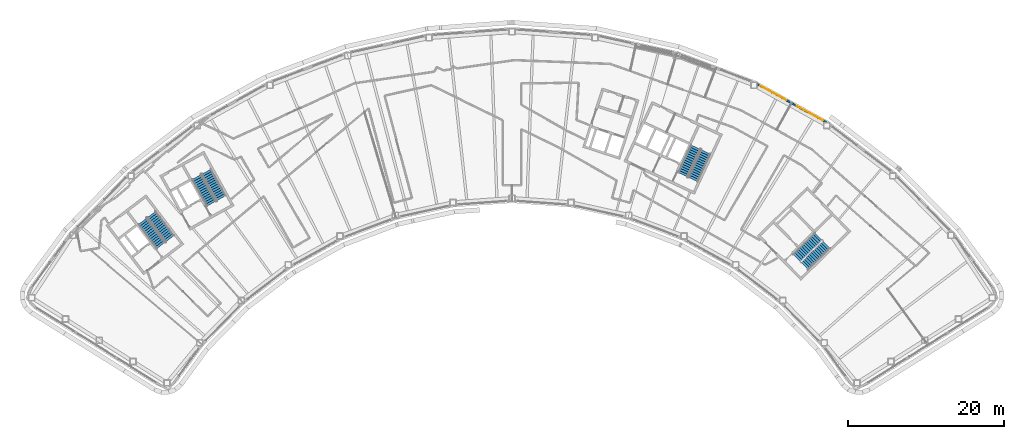
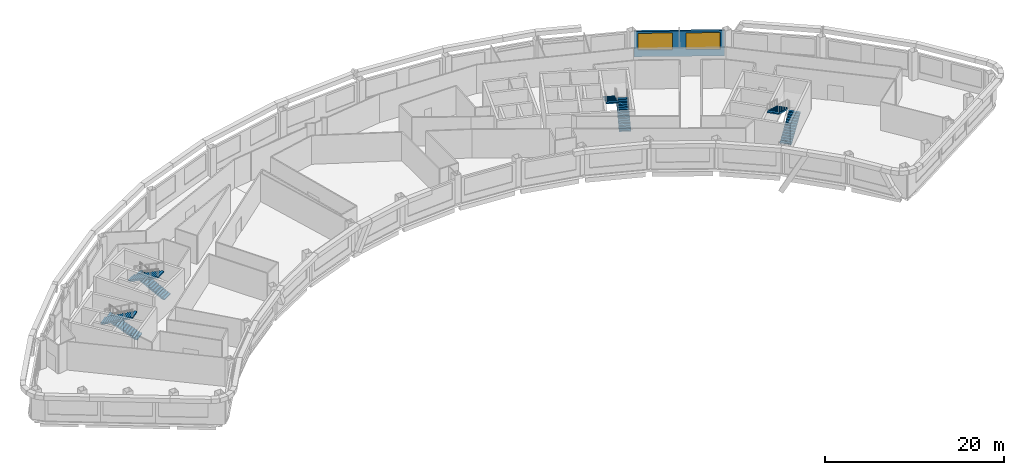
# One storey, part 11 of 13: 8 stair flights, 2 windows, 1 wall, 2 openings, 4 elements without a shape of their own.
"""IFC4 building model written with IfcOpenShell, lengths in metres."""

from ifc_helpers import new_model, si_unit, direction, frame, frame_2d, origin, place, context, subcontext, project, spatial, polyline, rectangle, outline, extrude, material, layer, layer_set, type_object, element, fill, aggregate, save


model = new_model("IFC4")

# Units and contexts
model_context = context("Model", 3, precision=1e-05, world=origin(), true_north=direction((0.0, 1.0)))
body_context = subcontext(model_context, "Body", "Model", "MODEL_VIEW")
ifc_project = project(units=[si_unit("LENGTHUNIT", "METRE"), si_unit("AREAUNIT", "SQUARE_METRE"), si_unit("VOLUMEUNIT", "CUBIC_METRE"), si_unit("PLANEANGLEUNIT", "RADIAN"), si_unit("MASSUNIT", "GRAM", prefix="KILO")], contexts=[model_context])

# Site, building, storey
site_placement = place(None, origin())
site = spatial("IfcSite", under=ifc_project, at=site_placement, CompositionType="ELEMENT")
building_placement = place(site_placement, origin())
building = spatial("IfcBuilding", under=site, at=building_placement, Name="Tuul Gate Civic Tower", CompositionType="ELEMENT")
storey_placement = place(building_placement, frame((0.0, 0.0, 252.60009765625)))
storey = spatial("IfcBuildingStorey", under=building, at=storey_placement, Name="Level 57", CompositionType="ELEMENT", Elevation=252.60009765625)

# Wall, openings, windows
ifc_material_1 = material(Name="Precast concrete C40/50", Category="concrete")
ifc_layer = layer(ifc_material_1, 0.25)
ifc_layer_set = layer_set([ifc_layer], Name="Precast concrete C40/50")
wall_type = type_object("IfcWallType", Name="External wall", PredefinedType="STANDARD", material=ifc_layer_set)
wall_placement = place(storey_placement, frame((51.380615234375, 1.85205078125, 0.0), z_axis=(0.0, 0.0, 1.0), x_axis=(-0.87463069098, 0.484789804345, 0.0)))
wall = element("IfcWall", 1, at=wall_placement, inside=storey, type_object=wall_type, Name="External wall", PredefinedType="STANDARD", context=body_context, shape_type="SweptSolid", body=[
    extrude(rectangle(XDim=10.1591796875, YDim=0.25, at=frame_2d((5.07958984375, 0.0))), origin(), (0.0, 0.0, 1.0), 3.449951171875),
])
opening_1_placement = place(wall_placement, frame((0.48779296875, 0.0, 0.89990234375)))
opening_1 = element("IfcOpeningElement", 2, at=opening_1_placement, cuts=wall, Name="Opening W22", PredefinedType="OPENING", context=body_context, shape_type="SweptSolid", body=[
    extrude(rectangle(XDim=3.85009765625, YDim=2.300048828125, at=frame_2d((1.925048828125, 1.14990234375))), frame((0.0, 0.135009765625, 0.0), z_axis=(0.0, -1.0, 0.0), x_axis=(1.0, 0.0, 0.0)), (0.0, 0.0, 1.0), 0.27001953125),
])
opening_2_placement = place(wall_placement, frame((5.859130859375, 0.0, 0.89990234375)))
opening_2 = element("IfcOpeningElement", 3, at=opening_2_placement, cuts=wall, Name="Opening W22", PredefinedType="OPENING", context=body_context, shape_type="SweptSolid", body=[
    extrude(rectangle(XDim=3.85009765625, YDim=2.300048828125, at=frame_2d((1.925048828125, 1.14990234375))), frame((0.0, 0.135009765625, 0.0), z_axis=(0.0, -1.0, 0.0), x_axis=(1.0, 0.0, 0.0)), (0.0, 0.0, 1.0), 0.27001953125),
])
ifc_material_2 = material(Name="Glass", Category="glass")
window_type = type_object("IfcWindowType", Name="Window W22 3850 x 2300", PartitioningType="SINGLE_PANEL", PredefinedType="WINDOW", material=ifc_material_2)
window_1_placement = place(opening_1_placement, origin())
window_1 = element("IfcWindow", 4, at=window_1_placement, inside=storey, type_object=window_type, Name="Window", OverallHeight=2.300048828125, OverallWidth=3.85009765625, PartitioningType="SINGLE_PANEL", PredefinedType="WINDOW", context=body_context, shape_type="SweptSolid", body=[
    extrude(rectangle(XDim=3.85009765625, YDim=2.300048828125, at=frame_2d((1.925048828125, 1.14990234375))), frame((0.0, 0.030029296875, 0.0), z_axis=(0.0, -1.0, 0.0), x_axis=(1.0, 0.0, 0.0)), (0.0, 0.0, 1.0), 0.06005859375),
])
fill(opening_1, window_1)
window_2_placement = place(opening_2_placement, origin())
window_2 = element("IfcWindow", 5, at=window_2_placement, inside=storey, type_object=window_type, Name="Window", OverallHeight=2.300048828125, OverallWidth=3.85009765625, PartitioningType="SINGLE_PANEL", PredefinedType="WINDOW", context=body_context, shape_type="SweptSolid", body=[
    extrude(rectangle(XDim=3.85009765625, YDim=2.300048828125, at=frame_2d((1.925048828125, 1.14990234375))), frame((0.0, 0.030029296875, 0.0), z_axis=(0.0, -1.0, 0.0), x_axis=(1.0, 0.0, 0.0)), (0.0, 0.0, 1.0), 0.06005859375),
])
fill(opening_2, window_2)

# Stair, stair flights
ifc_material_3 = material(Name="Concrete C40/50", Category="concrete")
stair_type = type_object("IfcStairType", Name="Exit stair", PredefinedType="HALF_TURN_STAIR", material=ifc_material_3)
stair_1_placement = place(storey_placement, origin())
stair_1 = element("IfcStair", 6, at=stair_1_placement, inside=storey, type_object=stair_type, Name="Level 57 ST-1", PredefinedType="HALF_TURN_STAIR")
ifc_material_4 = material(Name="Concrete C40/50", Category="concrete")
stair_flight_type = type_object("IfcStairFlightType", Name="Exit stair flight", PredefinedType="STRAIGHT", material=ifc_material_4)
stair_flight_1_placement = place(storey_placement, frame((-32.875244140625, -13.066650390625, 0.0), z_axis=(0.0, 0.0, 1.0), x_axis=(-0.605764474941, 0.795644016442, 0.0)))
stair_flight_1 = element("IfcStairFlight", 7, at=stair_flight_1_placement, type_object=stair_flight_type, Name="ST-1 flight 1", NumberOfRisers=14, NumberOfTreads=13, PredefinedType="STRAIGHT", RiserHeight=0.15, TreadLength=0.3, context=body_context, shape_type="SweptSolid", body=[
    extrude(outline(polyline([(0.0, 0.0), (0.0, 0.14990234375), (0.300048828125, 0.14990234375), (0.300048828125, 0.300048828125), (0.60009765625, 0.300048828125), (0.60009765625, 0.449951171875), (0.89990234375, 0.449951171875), (0.89990234375, 0.60009765625), (1.199951171875, 0.60009765625), (1.199951171875, 0.75), (1.5, 0.75), (1.5, 0.89990234375), (1.800048828125, 0.89990234375), (1.800048828125, 1.050048828125), (2.10009765625, 1.050048828125), (2.10009765625, 1.199951171875), (2.39990234375, 1.199951171875), (2.39990234375, 1.35009765625), (2.699951171875, 1.35009765625), (2.699951171875, 1.5), (3.0, 1.5), (3.0, 1.64990234375), (3.300048828125, 1.64990234375), (3.300048828125, 1.800048828125), (3.60009765625, 1.800048828125), (3.60009765625, 1.949951171875), (3.89990234375, 1.949951171875), (3.89990234375, 2.10009765625), (3.89990234375, 1.782470703125), (0.335205078125, 0.0), (0.0, 0.0)])), frame((0.0, 0.675048828125, 0.0), z_axis=(0.0, -1.0, 0.0), x_axis=(1.0, 0.0, 0.0)), (0.0, 0.0, 1.0), 1.35009765625),
])
stair_flight_2_placement = place(storey_placement, frame((-36.391357421875, -10.842041015625, 2.099853515625), z_axis=(0.0, 0.0, 1.0), x_axis=(0.605764474941, -0.795644016442, 0.0)))
stair_flight_2 = element("IfcStairFlight", 8, at=stair_flight_2_placement, type_object=stair_flight_type, Name="ST-1 flight 2", NumberOfRisers=14, NumberOfTreads=13, PredefinedType="STRAIGHT", RiserHeight=0.15, TreadLength=0.3, context=body_context, shape_type="SweptSolid", body=[
    extrude(outline(polyline([(0.0, 0.0), (0.0, 0.14990234375), (0.300048828125, 0.14990234375), (0.300048828125, 0.300048828125), (0.60009765625, 0.300048828125), (0.60009765625, 0.449951171875), (0.89990234375, 0.449951171875), (0.89990234375, 0.60009765625), (1.199951171875, 0.60009765625), (1.199951171875, 0.75), (1.5, 0.75), (1.5, 0.89990234375), (1.800048828125, 0.89990234375), (1.800048828125, 1.050048828125), (2.10009765625, 1.050048828125), (2.10009765625, 1.199951171875), (2.39990234375, 1.199951171875), (2.39990234375, 1.35009765625), (2.699951171875, 1.35009765625), (2.699951171875, 1.5), (3.0, 1.5), (3.0, 1.64990234375), (3.300048828125, 1.64990234375), (3.300048828125, 1.800048828125), (3.60009765625, 1.800048828125), (3.60009765625, 1.949951171875), (3.89990234375, 1.949951171875), (3.89990234375, 2.10009765625), (3.89990234375, 1.782470703125), (0.335205078125, 0.0), (0.0, 0.0)])), frame((0.0, 0.675048828125, 0.0), z_axis=(0.0, -1.0, 0.0), x_axis=(1.0, 0.0, 0.0)), (0.0, 0.0, 1.0), 1.35009765625),
])
aggregate(stair_1, [stair_flight_1, stair_flight_2])

stair_2_placement = place(storey_placement, origin())
stair_2 = element("IfcStair", 9, at=stair_2_placement, inside=storey, type_object=stair_type, Name="Level 57 ST-2", PredefinedType="HALF_TURN_STAIR")
stair_flight_3_placement = place(storey_placement, frame((-26.29150390625, -7.87646484375, 0.0), z_axis=(0.0, 0.0, 1.0), x_axis=(-0.484761763766, 0.874646232708, 0.0)))
stair_flight_3 = element("IfcStairFlight", 10, at=stair_flight_3_placement, type_object=stair_flight_type, Name="ST-2 flight 1", NumberOfRisers=14, NumberOfTreads=13, PredefinedType="STRAIGHT", RiserHeight=0.15, TreadLength=0.3, context=body_context, shape_type="SweptSolid", body=[
    extrude(outline(polyline([(0.0, 0.0), (0.0, 0.14990234375), (0.300048828125, 0.14990234375), (0.300048828125, 0.300048828125), (0.60009765625, 0.300048828125), (0.60009765625, 0.449951171875), (0.89990234375, 0.449951171875), (0.89990234375, 0.60009765625), (1.199951171875, 0.60009765625), (1.199951171875, 0.75), (1.5, 0.75), (1.5, 0.89990234375), (1.800048828125, 0.89990234375), (1.800048828125, 1.050048828125), (2.10009765625, 1.050048828125), (2.10009765625, 1.199951171875), (2.39990234375, 1.199951171875), (2.39990234375, 1.35009765625), (2.699951171875, 1.35009765625), (2.699951171875, 1.5), (3.0, 1.5), (3.0, 1.64990234375), (3.300048828125, 1.64990234375), (3.300048828125, 1.800048828125), (3.60009765625, 1.800048828125), (3.60009765625, 1.949951171875), (3.89990234375, 1.949951171875), (3.89990234375, 2.10009765625), (3.89990234375, 1.782470703125), (0.335205078125, 0.0), (0.0, 0.0)])), frame((0.0, 0.675048828125, 0.0), z_axis=(0.0, -1.0, 0.0), x_axis=(1.0, 0.0, 0.0)), (0.0, 0.0, 1.0), 1.35009765625),
])
stair_flight_4_placement = place(storey_placement, frame((-29.450439453125, -5.168212890625, 2.099853515625), z_axis=(0.0, 0.0, 1.0), x_axis=(0.484761763766, -0.874646232708, 0.0)))
stair_flight_4 = element("IfcStairFlight", 11, at=stair_flight_4_placement, type_object=stair_flight_type, Name="ST-2 flight 2", NumberOfRisers=14, NumberOfTreads=13, PredefinedType="STRAIGHT", RiserHeight=0.15, TreadLength=0.3, context=body_context, shape_type="SweptSolid", body=[
    extrude(outline(polyline([(0.0, 0.0), (0.0, 0.14990234375), (0.300048828125, 0.14990234375), (0.300048828125, 0.300048828125), (0.60009765625, 0.300048828125), (0.60009765625, 0.449951171875), (0.89990234375, 0.449951171875), (0.89990234375, 0.60009765625), (1.199951171875, 0.60009765625), (1.199951171875, 0.75), (1.5, 0.75), (1.5, 0.89990234375), (1.800048828125, 0.89990234375), (1.800048828125, 1.050048828125), (2.10009765625, 1.050048828125), (2.10009765625, 1.199951171875), (2.39990234375, 1.199951171875), (2.39990234375, 1.35009765625), (2.699951171875, 1.35009765625), (2.699951171875, 1.5), (3.0, 1.5), (3.0, 1.64990234375), (3.300048828125, 1.64990234375), (3.300048828125, 1.800048828125), (3.60009765625, 1.800048828125), (3.60009765625, 1.949951171875), (3.89990234375, 1.949951171875), (3.89990234375, 2.10009765625), (3.89990234375, 1.782470703125), (0.335205078125, 0.0), (0.0, 0.0)])), frame((0.0, 0.675048828125, 0.0), z_axis=(0.0, -1.0, 0.0), x_axis=(1.0, 0.0, 0.0)), (0.0, 0.0, 1.0), 1.35009765625),
])
aggregate(stair_2, [stair_flight_3, stair_flight_4])

stair_3_placement = place(storey_placement, origin())
stair_3 = element("IfcStair", 12, at=stair_3_placement, inside=storey, type_object=stair_type, Name="Level 57 ST-3", PredefinedType="HALF_TURN_STAIR")
stair_flight_5_placement = place(storey_placement, frame((48.61376953125, -16.581787109375, 0.0), z_axis=(0.0, 0.0, 1.0), x_axis=(0.714127290059, 0.700015866672, 0.0)))
stair_flight_5 = element("IfcStairFlight", 13, at=stair_flight_5_placement, type_object=stair_flight_type, Name="ST-3 flight 1", NumberOfRisers=14, NumberOfTreads=13, PredefinedType="STRAIGHT", RiserHeight=0.15, TreadLength=0.3, context=body_context, shape_type="SweptSolid", body=[
    extrude(outline(polyline([(0.0, 0.0), (0.0, 0.14990234375), (0.300048828125, 0.14990234375), (0.300048828125, 0.300048828125), (0.60009765625, 0.300048828125), (0.60009765625, 0.449951171875), (0.89990234375, 0.449951171875), (0.89990234375, 0.60009765625), (1.199951171875, 0.60009765625), (1.199951171875, 0.75), (1.5, 0.75), (1.5, 0.89990234375), (1.800048828125, 0.89990234375), (1.800048828125, 1.050048828125), (2.10009765625, 1.050048828125), (2.10009765625, 1.199951171875), (2.39990234375, 1.199951171875), (2.39990234375, 1.35009765625), (2.699951171875, 1.35009765625), (2.699951171875, 1.5), (3.0, 1.5), (3.0, 1.64990234375), (3.300048828125, 1.64990234375), (3.300048828125, 1.800048828125), (3.60009765625, 1.800048828125), (3.60009765625, 1.949951171875), (3.89990234375, 1.949951171875), (3.89990234375, 2.10009765625), (3.89990234375, 1.782470703125), (0.335205078125, 0.0), (0.0, 0.0)])), frame((0.0, 0.675048828125, 0.0), z_axis=(0.0, -1.0, 0.0), x_axis=(1.0, 0.0, 0.0)), (0.0, 0.0, 1.0), 1.35009765625),
])
stair_flight_6_placement = place(storey_placement, frame((50.3837890625, -12.816162109375, 2.099853515625), z_axis=(0.0, 0.0, 1.0), x_axis=(-0.714127290059, -0.700015866672, 0.0)))
stair_flight_6 = element("IfcStairFlight", 14, at=stair_flight_6_placement, type_object=stair_flight_type, Name="ST-3 flight 2", NumberOfRisers=14, NumberOfTreads=13, PredefinedType="STRAIGHT", RiserHeight=0.15, TreadLength=0.3, context=body_context, shape_type="SweptSolid", body=[
    extrude(outline(polyline([(0.0, 0.0), (0.0, 0.14990234375), (0.300048828125, 0.14990234375), (0.300048828125, 0.300048828125), (0.60009765625, 0.300048828125), (0.60009765625, 0.449951171875), (0.89990234375, 0.449951171875), (0.89990234375, 0.60009765625), (1.199951171875, 0.60009765625), (1.199951171875, 0.75), (1.5, 0.75), (1.5, 0.89990234375), (1.800048828125, 0.89990234375), (1.800048828125, 1.050048828125), (2.10009765625, 1.050048828125), (2.10009765625, 1.199951171875), (2.39990234375, 1.199951171875), (2.39990234375, 1.35009765625), (2.699951171875, 1.35009765625), (2.699951171875, 1.5), (3.0, 1.5), (3.0, 1.64990234375), (3.300048828125, 1.64990234375), (3.300048828125, 1.800048828125), (3.60009765625, 1.800048828125), (3.60009765625, 1.949951171875), (3.89990234375, 1.949951171875), (3.89990234375, 2.10009765625), (3.89990234375, 1.782470703125), (0.335205078125, 0.0), (0.0, 0.0)])), frame((0.0, 0.675048828125, 0.0), z_axis=(0.0, -1.0, 0.0), x_axis=(1.0, 0.0, 0.0)), (0.0, 0.0, 1.0), 1.35009765625),
])
aggregate(stair_3, [stair_flight_5, stair_flight_6])

stair_4_placement = place(storey_placement, origin())
stair_4 = element("IfcStair", 15, at=stair_4_placement, inside=storey, type_object=stair_type, Name="Level 57 ST-4", PredefinedType="HALF_TURN_STAIR")
stair_flight_7_placement = place(storey_placement, frame((34.278564453125, -5.478515625, 0.0), z_axis=(0.0, 0.0, 1.0), x_axis=(0.422576295988, 0.906327354806, 0.0)))
stair_flight_7 = element("IfcStairFlight", 16, at=stair_flight_7_placement, type_object=stair_flight_type, Name="ST-4 flight 1", NumberOfRisers=14, NumberOfTreads=13, PredefinedType="STRAIGHT", RiserHeight=0.15, TreadLength=0.3, context=body_context, shape_type="SweptSolid", body=[
    extrude(outline(polyline([(0.0, 0.0), (0.0, 0.14990234375), (0.300048828125, 0.14990234375), (0.300048828125, 0.300048828125), (0.60009765625, 0.300048828125), (0.60009765625, 0.449951171875), (0.89990234375, 0.449951171875), (0.89990234375, 0.60009765625), (1.199951171875, 0.60009765625), (1.199951171875, 0.75), (1.5, 0.75), (1.5, 0.89990234375), (1.800048828125, 0.89990234375), (1.800048828125, 1.050048828125), (2.10009765625, 1.050048828125), (2.10009765625, 1.199951171875), (2.39990234375, 1.199951171875), (2.39990234375, 1.35009765625), (2.699951171875, 1.35009765625), (2.699951171875, 1.5), (3.0, 1.5), (3.0, 1.64990234375), (3.300048828125, 1.64990234375), (3.300048828125, 1.800048828125), (3.60009765625, 1.800048828125), (3.60009765625, 1.949951171875), (3.89990234375, 1.949951171875), (3.89990234375, 2.10009765625), (3.89990234375, 1.782470703125), (0.335205078125, 0.0), (0.0, 0.0)])), frame((0.0, 0.675048828125, 0.0), z_axis=(0.0, -1.0, 0.0), x_axis=(1.0, 0.0, 0.0)), (0.0, 0.0, 1.0), 1.35009765625),
])
stair_flight_8_placement = place(storey_placement, frame((34.612548828125, -1.3310546875, 2.099853515625), z_axis=(0.0, 0.0, 1.0), x_axis=(-0.422576295988, -0.906327354806, 0.0)))
stair_flight_8 = element("IfcStairFlight", 17, at=stair_flight_8_placement, type_object=stair_flight_type, Name="ST-4 flight 2", NumberOfRisers=14, NumberOfTreads=13, PredefinedType="STRAIGHT", RiserHeight=0.15, TreadLength=0.3, context=body_context, shape_type="SweptSolid", body=[
    extrude(outline(polyline([(0.0, 0.0), (0.0, 0.14990234375), (0.300048828125, 0.14990234375), (0.300048828125, 0.300048828125), (0.60009765625, 0.300048828125), (0.60009765625, 0.449951171875), (0.89990234375, 0.449951171875), (0.89990234375, 0.60009765625), (1.199951171875, 0.60009765625), (1.199951171875, 0.75), (1.5, 0.75), (1.5, 0.89990234375), (1.800048828125, 0.89990234375), (1.800048828125, 1.050048828125), (2.10009765625, 1.050048828125), (2.10009765625, 1.199951171875), (2.39990234375, 1.199951171875), (2.39990234375, 1.35009765625), (2.699951171875, 1.35009765625), (2.699951171875, 1.5), (3.0, 1.5), (3.0, 1.64990234375), (3.300048828125, 1.64990234375), (3.300048828125, 1.800048828125), (3.60009765625, 1.800048828125), (3.60009765625, 1.949951171875), (3.89990234375, 1.949951171875), (3.89990234375, 2.10009765625), (3.89990234375, 1.782470703125), (0.335205078125, 0.0), (0.0, 0.0)])), frame((0.0, 0.675048828125, 0.0), z_axis=(0.0, -1.0, 0.0), x_axis=(1.0, 0.0, 0.0)), (0.0, 0.0, 1.0), 1.35009765625),
])
aggregate(stair_4, [stair_flight_7, stair_flight_8])

save(model, "model.ifc")
